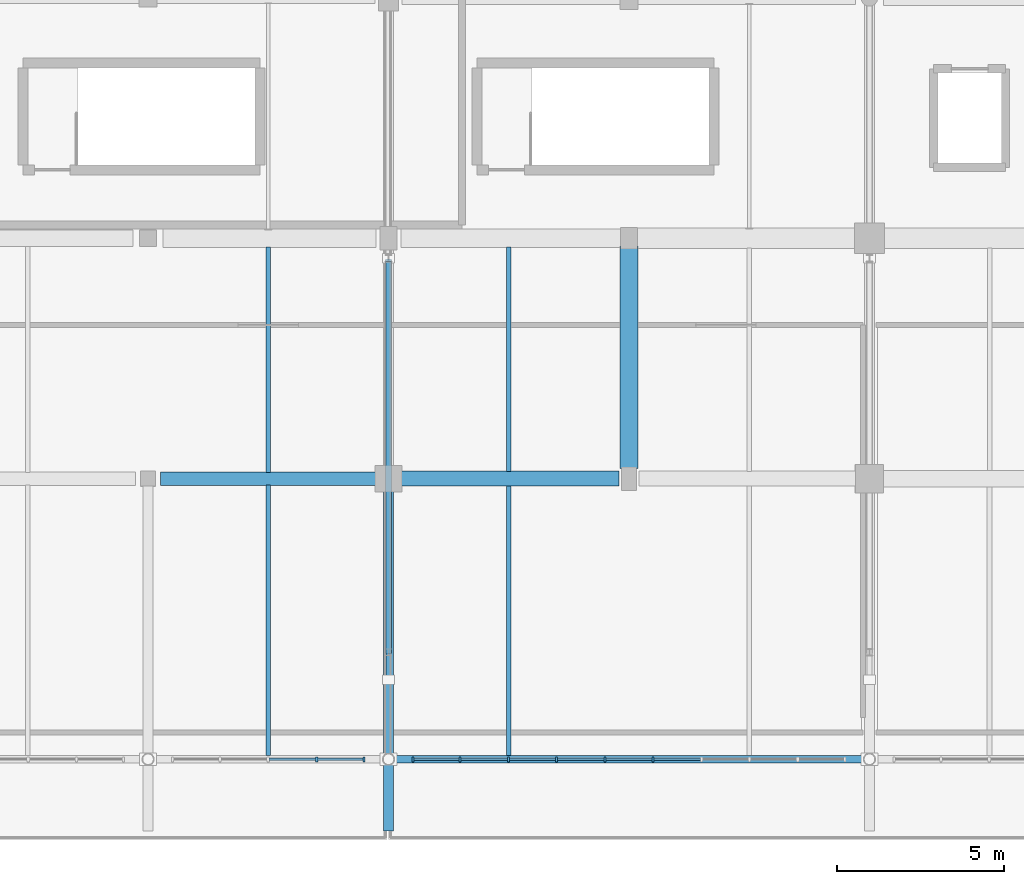
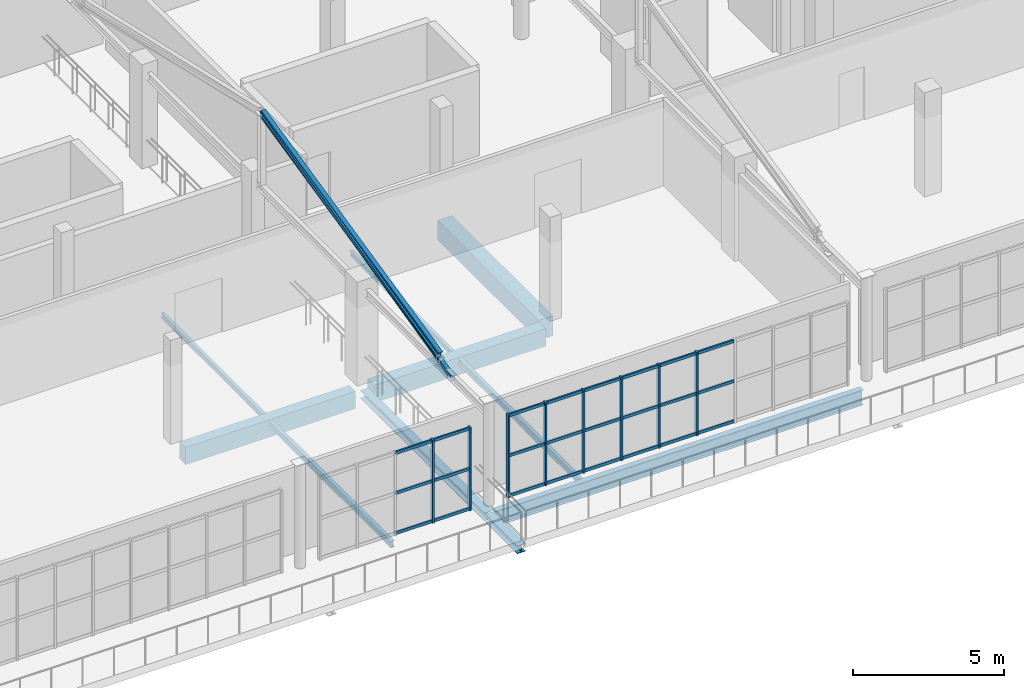
# One storey, part 8 of 41: 33 members, 11 beams, 2 elements without a shape of their own.
"""IFC4 building model written with IfcOpenShell, lengths in metres."""

from ifc_helpers import new_model, si_unit, direction, frame, origin, origin_2d, place, context, subcontext, project, spatial, rectangle, hollow_rectangle, i_section, extrude, material, material_profile, profile_set, type_object, element, aggregate, save


model = new_model("IFC4")

# Units and contexts
model_context = context("Model", 3, precision=1e-05, world=origin(), true_north=direction((0.0, 1.0)))
body_context = subcontext(model_context, "Body", "Model", "MODEL_VIEW")
ifc_project = project(units=[si_unit("LENGTHUNIT", "METRE"), si_unit("AREAUNIT", "SQUARE_METRE"), si_unit("VOLUMEUNIT", "CUBIC_METRE"), si_unit("PLANEANGLEUNIT", "RADIAN"), si_unit("MASSUNIT", "GRAM", prefix="KILO")], contexts=[model_context])

# Site, building, storey
site_placement = place(None, origin())
site = spatial("IfcSite", under=ifc_project, at=site_placement, CompositionType="ELEMENT")
building_placement = place(site_placement, origin())
building = spatial("IfcBuilding", under=site, at=building_placement, Name="Solanera Park Tramway Depot", CompositionType="ELEMENT")
storey_placement = place(building_placement, frame((0.0, 0.0, 13.199951171875)))
storey = spatial("IfcBuildingStorey", under=building, at=storey_placement, Name="L03", CompositionType="ELEMENT", Elevation=13.199951171875)

# Curtain wall, members
ifc_material_1 = material(Name="Bronze-anodised thermally broken aluminium curtain wall", Category="aluminium")
curtain_wall_type = type_object("IfcCurtainWallType", Name="Cantilevered OCC Inclined Glazing Wall", PredefinedType="NOTDEFINED", material=ifc_material_1)
curtain_wall_1_placement = place(storey_placement, origin())
curtain_wall_1 = element("IfcCurtainWall", 1, at=curtain_wall_1_placement, inside=storey, type_object=curtain_wall_type, Name="L03 Cantilevered OCC Inclined Glazing Wall #123", PredefinedType="NOTDEFINED")
ifc_material_2 = material(Name="Bronze-anodised structural aluminium 6063-T6", Category="aluminium")
ifc_material_profile_1 = material_profile(ifc_material_2, rectangle(XDim=0.06494140625, YDim=0.14990234375, at=origin_2d()), Name="Curtain Wall Mullion 65x150")
ifc_profile_set_1 = profile_set([ifc_material_profile_1], Name="Bronze-anodised structural aluminium 6063-T6")
member_type_1 = type_object("IfcMemberType", Name="Curtain Wall Mullion 65x150", PredefinedType="MULLION", material=ifc_profile_set_1)
member_1_placement = place(storey_placement, frame((149.050048828125, 2.39990234375, 0.0), z_axis=(0.0, 0.0, 1.0), x_axis=(1.0, 0.0, 0.0)))
member_1 = element("IfcMember", 2, at=member_1_placement, type_object=member_type_1, Name="CW-L03-123 Mullion 4", PredefinedType="MULLION", context=body_context, shape_type="SweptSolid", body=[
    extrude(rectangle(XDim=0.06494140625, YDim=0.14990234375, at=origin_2d()), origin(), (0.0, 0.0, 1.0), 3.35009765625),
])
member_2_placement = place(storey_placement, frame((150.467529296875, 2.39990234375, 0.0), z_axis=(0.0, 0.0, 1.0), x_axis=(1.0, 0.0, 0.0)))
member_2 = element("IfcMember", 3, at=member_2_placement, type_object=member_type_1, Name="CW-L03-123 Mullion 5", PredefinedType="MULLION", context=body_context, shape_type="SweptSolid", body=[
    extrude(rectangle(XDim=0.06494140625, YDim=0.14990234375, at=origin_2d()), origin(), (0.0, 0.0, 1.0), 3.35009765625),
])

curtain_wall_2_placement = place(storey_placement, origin())
curtain_wall_2 = element("IfcCurtainWall", 4, at=curtain_wall_2_placement, inside=storey, type_object=curtain_wall_type, Name="L03 Cantilevered OCC Inclined Glazing Wall #124", PredefinedType="NOTDEFINED")
member_3_placement = place(storey_placement, frame((151.9326171875, 2.39990234375, 0.0), z_axis=(0.0, 0.0, 1.0), x_axis=(1.0, 0.0, 0.0)))
member_3 = element("IfcMember", 5, at=member_3_placement, type_object=member_type_1, Name="CW-L03-124 Mullion 1", PredefinedType="MULLION", context=body_context, shape_type="SweptSolid", body=[
    extrude(rectangle(XDim=0.06494140625, YDim=0.14990234375, at=origin_2d()), origin(), (0.0, 0.0, 1.0), 3.35009765625),
])
member_4_placement = place(storey_placement, frame((153.344482421875, 2.39990234375, 0.0), z_axis=(0.0, 0.0, 1.0), x_axis=(1.0, 0.0, 0.0)))
member_4 = element("IfcMember", 6, at=member_4_placement, type_object=member_type_1, Name="CW-L03-124 Mullion 2", PredefinedType="MULLION", context=body_context, shape_type="SweptSolid", body=[
    extrude(rectangle(XDim=0.06494140625, YDim=0.14990234375, at=origin_2d()), origin(), (0.0, 0.0, 1.0), 3.35009765625),
])
member_5_placement = place(storey_placement, frame((154.788818359375, 2.39990234375, 0.0), z_axis=(0.0, 0.0, 1.0), x_axis=(1.0, 0.0, 0.0)))
member_5 = element("IfcMember", 7, at=member_5_placement, type_object=member_type_1, Name="CW-L03-124 Mullion 3", PredefinedType="MULLION", context=body_context, shape_type="SweptSolid", body=[
    extrude(rectangle(XDim=0.06494140625, YDim=0.14990234375, at=origin_2d()), origin(), (0.0, 0.0, 1.0), 3.35009765625),
])
member_6_placement = place(storey_placement, frame((156.2333984375, 2.39990234375, 0.0), z_axis=(0.0, 0.0, 1.0), x_axis=(1.0, 0.0, 0.0)))
member_6 = element("IfcMember", 8, at=member_6_placement, type_object=member_type_1, Name="CW-L03-124 Mullion 4", PredefinedType="MULLION", context=body_context, shape_type="SweptSolid", body=[
    extrude(rectangle(XDim=0.06494140625, YDim=0.14990234375, at=origin_2d()), origin(), (0.0, 0.0, 1.0), 3.35009765625),
])
member_7_placement = place(storey_placement, frame((157.677734375, 2.39990234375, 0.0), z_axis=(0.0, 0.0, 1.0), x_axis=(1.0, 0.0, 0.0)))
member_7 = element("IfcMember", 9, at=member_7_placement, type_object=member_type_1, Name="CW-L03-124 Mullion 5", PredefinedType="MULLION", context=body_context, shape_type="SweptSolid", body=[
    extrude(rectangle(XDim=0.06494140625, YDim=0.14990234375, at=origin_2d()), origin(), (0.0, 0.0, 1.0), 3.35009765625),
])
member_8_placement = place(storey_placement, frame((159.122314453125, 2.39990234375, 0.0), z_axis=(0.0, 0.0, 1.0), x_axis=(1.0, 0.0, 0.0)))
member_8 = element("IfcMember", 10, at=member_8_placement, type_object=member_type_1, Name="CW-L03-124 Mullion 6", PredefinedType="MULLION", context=body_context, shape_type="SweptSolid", body=[
    extrude(rectangle(XDim=0.06494140625, YDim=0.14990234375, at=origin_2d()), origin(), (0.0, 0.0, 1.0), 3.35009765625),
])

# Member
ifc_material_3 = material(Name="Bronze-anodised structural aluminium 6063-T6", Category="aluminium")
ifc_material_profile_2 = material_profile(ifc_material_3, rectangle(XDim=0.06494140625, YDim=0.1201171875, at=origin_2d()), Name="Curtain Wall Transom 65x120")
ifc_profile_set_2 = profile_set([ifc_material_profile_2], Name="Bronze-anodised structural aluminium 6063-T6")
member_type_2 = type_object("IfcMemberType", Name="Curtain Wall Transom 65x120", PredefinedType="USERDEFINED", material=ifc_profile_set_2)
member_9_placement = place(storey_placement, frame((147.6279296875, 2.39990234375, 0.06005859375), z_axis=(1.0, 0.0, 0.0), x_axis=(0.0, 1.0, 0.0)))
member_9 = element("IfcMember", 11, at=member_9_placement, type_object=member_type_2, Name="CW-L03-123 Transom R1.C3", ObjectType="TRANSOM", PredefinedType="USERDEFINED", context=body_context, shape_type="SweptSolid", body=[
    extrude(rectangle(XDim=0.06494140625, YDim=0.1201171875, at=origin_2d()), origin(), (0.0, 0.0, 1.0), 1.39404296875),
])

member_10_placement = place(storey_placement, frame((149.077880859375, 2.39990234375, 0.06005859375), z_axis=(1.0, 0.0, 0.0), x_axis=(0.0, 1.0, 0.0)))
member_10 = element("IfcMember", 12, at=member_10_placement, type_object=member_type_2, Name="CW-L03-123 Transom R1.C4", ObjectType="TRANSOM", PredefinedType="USERDEFINED", context=body_context, shape_type="SweptSolid", body=[
    extrude(rectangle(XDim=0.06494140625, YDim=0.1201171875, at=origin_2d()), origin(), (0.0, 0.0, 1.0), 1.361572265625),
])

member_11_placement = place(storey_placement, frame((147.6279296875, 2.39990234375, 1.675048828125), z_axis=(1.0, 0.0, 0.0), x_axis=(0.0, 1.0, 0.0)))
member_11 = element("IfcMember", 13, at=member_11_placement, type_object=member_type_2, Name="CW-L03-123 Transom R2.C3", ObjectType="TRANSOM", PredefinedType="USERDEFINED", context=body_context, shape_type="SweptSolid", body=[
    extrude(rectangle(XDim=0.06494140625, YDim=0.1201171875, at=origin_2d()), origin(), (0.0, 0.0, 1.0), 1.39404296875),
])

member_12_placement = place(storey_placement, frame((149.077880859375, 2.39990234375, 1.675048828125), z_axis=(1.0, 0.0, 0.0), x_axis=(0.0, 1.0, 0.0)))
member_12 = element("IfcMember", 14, at=member_12_placement, type_object=member_type_2, Name="CW-L03-123 Transom R2.C4", ObjectType="TRANSOM", PredefinedType="USERDEFINED", context=body_context, shape_type="SweptSolid", body=[
    extrude(rectangle(XDim=0.06494140625, YDim=0.1201171875, at=origin_2d()), origin(), (0.0, 0.0, 1.0), 1.361572265625),
])

member_13_placement = place(storey_placement, frame((147.6279296875, 2.39990234375, 3.2900390625), z_axis=(1.0, 0.0, 0.0), x_axis=(0.0, 1.0, 0.0)))
member_13 = element("IfcMember", 15, at=member_13_placement, type_object=member_type_2, Name="CW-L03-123 Transom R3.C3", ObjectType="TRANSOM", PredefinedType="USERDEFINED", context=body_context, shape_type="SweptSolid", body=[
    extrude(rectangle(XDim=0.06494140625, YDim=0.1201171875, at=origin_2d()), origin(), (0.0, 0.0, 1.0), 1.39404296875),
])

member_14_placement = place(storey_placement, frame((149.077880859375, 2.39990234375, 3.2900390625), z_axis=(1.0, 0.0, 0.0), x_axis=(0.0, 1.0, 0.0)))
member_14 = element("IfcMember", 16, at=member_14_placement, type_object=member_type_2, Name="CW-L03-123 Transom R3.C4", ObjectType="TRANSOM", PredefinedType="USERDEFINED", context=body_context, shape_type="SweptSolid", body=[
    extrude(rectangle(XDim=0.06494140625, YDim=0.1201171875, at=origin_2d()), origin(), (0.0, 0.0, 1.0), 1.361572265625),
])

aggregate(curtain_wall_1, [member_1, member_2, member_9, member_10, member_11, member_12, member_13, member_14])

member_15_placement = place(storey_placement, frame((151.96044921875, 2.39990234375, 0.06005859375), z_axis=(1.0, 0.0, 0.0), x_axis=(0.0, 1.0, 0.0)))
member_15 = element("IfcMember", 17, at=member_15_placement, type_object=member_type_2, Name="CW-L03-124 Transom R1.C1", ObjectType="TRANSOM", PredefinedType="USERDEFINED", context=body_context, shape_type="SweptSolid", body=[
    extrude(rectangle(XDim=0.06494140625, YDim=0.1201171875, at=origin_2d()), origin(), (0.0, 0.0, 1.0), 1.35595703125),
])

member_16_placement = place(storey_placement, frame((153.372314453125, 2.39990234375, 0.06005859375), z_axis=(1.0, 0.0, 0.0), x_axis=(0.0, 1.0, 0.0)))
member_16 = element("IfcMember", 18, at=member_16_placement, type_object=member_type_2, Name="CW-L03-124 Transom R1.C2", ObjectType="TRANSOM", PredefinedType="USERDEFINED", context=body_context, shape_type="SweptSolid", body=[
    extrude(rectangle(XDim=0.06494140625, YDim=0.1201171875, at=origin_2d()), origin(), (0.0, 0.0, 1.0), 1.388671875),
])

member_17_placement = place(storey_placement, frame((154.81689453125, 2.39990234375, 0.06005859375), z_axis=(1.0, 0.0, 0.0), x_axis=(0.0, 1.0, 0.0)))
member_17 = element("IfcMember", 19, at=member_17_placement, type_object=member_type_2, Name="CW-L03-124 Transom R1.C3", ObjectType="TRANSOM", PredefinedType="USERDEFINED", context=body_context, shape_type="SweptSolid", body=[
    extrude(rectangle(XDim=0.06494140625, YDim=0.1201171875, at=origin_2d()), origin(), (0.0, 0.0, 1.0), 1.388427734375),
])

member_18_placement = place(storey_placement, frame((156.26123046875, 2.39990234375, 0.06005859375), z_axis=(1.0, 0.0, 0.0), x_axis=(0.0, 1.0, 0.0)))
member_18 = element("IfcMember", 20, at=member_18_placement, type_object=member_type_2, Name="CW-L03-124 Transom R1.C4", ObjectType="TRANSOM", PredefinedType="USERDEFINED", context=body_context, shape_type="SweptSolid", body=[
    extrude(rectangle(XDim=0.06494140625, YDim=0.1201171875, at=origin_2d()), origin(), (0.0, 0.0, 1.0), 1.388671875),
])

member_19_placement = place(storey_placement, frame((157.705810546875, 2.39990234375, 0.06005859375), z_axis=(1.0, 0.0, 0.0), x_axis=(0.0, 1.0, 0.0)))
member_19 = element("IfcMember", 21, at=member_19_placement, type_object=member_type_2, Name="CW-L03-124 Transom R1.C5", ObjectType="TRANSOM", PredefinedType="USERDEFINED", context=body_context, shape_type="SweptSolid", body=[
    extrude(rectangle(XDim=0.06494140625, YDim=0.1201171875, at=origin_2d()), origin(), (0.0, 0.0, 1.0), 1.388427734375),
])

member_20_placement = place(storey_placement, frame((159.150146484375, 2.39990234375, 0.06005859375), z_axis=(1.0, 0.0, 0.0), x_axis=(0.0, 1.0, 0.0)))
member_20 = element("IfcMember", 22, at=member_20_placement, type_object=member_type_2, Name="CW-L03-124 Transom R1.C6", ObjectType="TRANSOM", PredefinedType="USERDEFINED", context=body_context, shape_type="SweptSolid", body=[
    extrude(rectangle(XDim=0.06494140625, YDim=0.1201171875, at=origin_2d()), origin(), (0.0, 0.0, 1.0), 1.388671875),
])

member_21_placement = place(storey_placement, frame((151.96044921875, 2.39990234375, 1.675048828125), z_axis=(1.0, 0.0, 0.0), x_axis=(0.0, 1.0, 0.0)))
member_21 = element("IfcMember", 23, at=member_21_placement, type_object=member_type_2, Name="CW-L03-124 Transom R2.C1", ObjectType="TRANSOM", PredefinedType="USERDEFINED", context=body_context, shape_type="SweptSolid", body=[
    extrude(rectangle(XDim=0.06494140625, YDim=0.1201171875, at=origin_2d()), origin(), (0.0, 0.0, 1.0), 1.35595703125),
])

member_22_placement = place(storey_placement, frame((153.372314453125, 2.39990234375, 1.675048828125), z_axis=(1.0, 0.0, 0.0), x_axis=(0.0, 1.0, 0.0)))
member_22 = element("IfcMember", 24, at=member_22_placement, type_object=member_type_2, Name="CW-L03-124 Transom R2.C2", ObjectType="TRANSOM", PredefinedType="USERDEFINED", context=body_context, shape_type="SweptSolid", body=[
    extrude(rectangle(XDim=0.06494140625, YDim=0.1201171875, at=origin_2d()), origin(), (0.0, 0.0, 1.0), 1.388671875),
])

member_23_placement = place(storey_placement, frame((154.81689453125, 2.39990234375, 1.675048828125), z_axis=(1.0, 0.0, 0.0), x_axis=(0.0, 1.0, 0.0)))
member_23 = element("IfcMember", 25, at=member_23_placement, type_object=member_type_2, Name="CW-L03-124 Transom R2.C3", ObjectType="TRANSOM", PredefinedType="USERDEFINED", context=body_context, shape_type="SweptSolid", body=[
    extrude(rectangle(XDim=0.06494140625, YDim=0.1201171875, at=origin_2d()), origin(), (0.0, 0.0, 1.0), 1.388427734375),
])

member_24_placement = place(storey_placement, frame((156.26123046875, 2.39990234375, 1.675048828125), z_axis=(1.0, 0.0, 0.0), x_axis=(0.0, 1.0, 0.0)))
member_24 = element("IfcMember", 26, at=member_24_placement, type_object=member_type_2, Name="CW-L03-124 Transom R2.C4", ObjectType="TRANSOM", PredefinedType="USERDEFINED", context=body_context, shape_type="SweptSolid", body=[
    extrude(rectangle(XDim=0.06494140625, YDim=0.1201171875, at=origin_2d()), origin(), (0.0, 0.0, 1.0), 1.388671875),
])

member_25_placement = place(storey_placement, frame((157.705810546875, 2.39990234375, 1.675048828125), z_axis=(1.0, 0.0, 0.0), x_axis=(0.0, 1.0, 0.0)))
member_25 = element("IfcMember", 27, at=member_25_placement, type_object=member_type_2, Name="CW-L03-124 Transom R2.C5", ObjectType="TRANSOM", PredefinedType="USERDEFINED", context=body_context, shape_type="SweptSolid", body=[
    extrude(rectangle(XDim=0.06494140625, YDim=0.1201171875, at=origin_2d()), origin(), (0.0, 0.0, 1.0), 1.388427734375),
])

member_26_placement = place(storey_placement, frame((159.150146484375, 2.39990234375, 1.675048828125), z_axis=(1.0, 0.0, 0.0), x_axis=(0.0, 1.0, 0.0)))
member_26 = element("IfcMember", 28, at=member_26_placement, type_object=member_type_2, Name="CW-L03-124 Transom R2.C6", ObjectType="TRANSOM", PredefinedType="USERDEFINED", context=body_context, shape_type="SweptSolid", body=[
    extrude(rectangle(XDim=0.06494140625, YDim=0.1201171875, at=origin_2d()), origin(), (0.0, 0.0, 1.0), 1.388671875),
])

member_27_placement = place(storey_placement, frame((151.96044921875, 2.39990234375, 3.2900390625), z_axis=(1.0, 0.0, 0.0), x_axis=(0.0, 1.0, 0.0)))
member_27 = element("IfcMember", 29, at=member_27_placement, type_object=member_type_2, Name="CW-L03-124 Transom R3.C1", ObjectType="TRANSOM", PredefinedType="USERDEFINED", context=body_context, shape_type="SweptSolid", body=[
    extrude(rectangle(XDim=0.06494140625, YDim=0.1201171875, at=origin_2d()), origin(), (0.0, 0.0, 1.0), 1.35595703125),
])

member_28_placement = place(storey_placement, frame((153.372314453125, 2.39990234375, 3.2900390625), z_axis=(1.0, 0.0, 0.0), x_axis=(0.0, 1.0, 0.0)))
member_28 = element("IfcMember", 30, at=member_28_placement, type_object=member_type_2, Name="CW-L03-124 Transom R3.C2", ObjectType="TRANSOM", PredefinedType="USERDEFINED", context=body_context, shape_type="SweptSolid", body=[
    extrude(rectangle(XDim=0.06494140625, YDim=0.1201171875, at=origin_2d()), origin(), (0.0, 0.0, 1.0), 1.388671875),
])

member_29_placement = place(storey_placement, frame((154.81689453125, 2.39990234375, 3.2900390625), z_axis=(1.0, 0.0, 0.0), x_axis=(0.0, 1.0, 0.0)))
member_29 = element("IfcMember", 31, at=member_29_placement, type_object=member_type_2, Name="CW-L03-124 Transom R3.C3", ObjectType="TRANSOM", PredefinedType="USERDEFINED", context=body_context, shape_type="SweptSolid", body=[
    extrude(rectangle(XDim=0.06494140625, YDim=0.1201171875, at=origin_2d()), origin(), (0.0, 0.0, 1.0), 1.388427734375),
])

member_30_placement = place(storey_placement, frame((156.26123046875, 2.39990234375, 3.2900390625), z_axis=(1.0, 0.0, 0.0), x_axis=(0.0, 1.0, 0.0)))
member_30 = element("IfcMember", 32, at=member_30_placement, type_object=member_type_2, Name="CW-L03-124 Transom R3.C4", ObjectType="TRANSOM", PredefinedType="USERDEFINED", context=body_context, shape_type="SweptSolid", body=[
    extrude(rectangle(XDim=0.06494140625, YDim=0.1201171875, at=origin_2d()), origin(), (0.0, 0.0, 1.0), 1.388671875),
])

member_31_placement = place(storey_placement, frame((157.705810546875, 2.39990234375, 3.2900390625), z_axis=(1.0, 0.0, 0.0), x_axis=(0.0, 1.0, 0.0)))
member_31 = element("IfcMember", 33, at=member_31_placement, type_object=member_type_2, Name="CW-L03-124 Transom R3.C5", ObjectType="TRANSOM", PredefinedType="USERDEFINED", context=body_context, shape_type="SweptSolid", body=[
    extrude(rectangle(XDim=0.06494140625, YDim=0.1201171875, at=origin_2d()), origin(), (0.0, 0.0, 1.0), 1.388427734375),
])

member_32_placement = place(storey_placement, frame((159.150146484375, 2.39990234375, 3.2900390625), z_axis=(1.0, 0.0, 0.0), x_axis=(0.0, 1.0, 0.0)))
member_32 = element("IfcMember", 34, at=member_32_placement, type_object=member_type_2, Name="CW-L03-124 Transom R3.C6", ObjectType="TRANSOM", PredefinedType="USERDEFINED", context=body_context, shape_type="SweptSolid", body=[
    extrude(rectangle(XDim=0.06494140625, YDim=0.1201171875, at=origin_2d()), origin(), (0.0, 0.0, 1.0), 1.388671875),
])

aggregate(curtain_wall_2, [member_3, member_4, member_5, member_6, member_7, member_8, member_15, member_16, member_17, member_18, member_19, member_20, member_21, member_22, member_23, member_24, member_25, member_26, member_27, member_28, member_29, member_30, member_31, member_32])

# Beams
ifc_material_4 = material(Name="Concrete N40 (C40/50)", Category="concrete")
ifc_material_profile_3 = material_profile(ifc_material_4, rectangle(XDim=0.39990234375, YDim=0.699951171875, at=origin_2d()), Name="RCB 400x700")
ifc_profile_set_3 = profile_set([ifc_material_profile_3], Name="Concrete N40 (C40/50)")
beam_type_1 = type_object("IfcBeamType", Name="RC Floor Beam RCB 400x700", PredefinedType="BEAM", material=ifc_profile_set_3)
beam_1_placement = place(storey_placement, frame((144.375, 10.800048828125, -0.678955078125), z_axis=(1.0, 0.0, 0.0), x_axis=(0.0, 1.0, 0.0)))
element("IfcBeam", 35, at=beam_1_placement, inside=storey, type_object=beam_type_1, Name="L03 Primary X-Girder RCB 400x700 #0207", PredefinedType="BEAM", context=body_context, shape_type="SweptSolid", body=[
    extrude(rectangle(XDim=0.39990234375, YDim=0.699951171875, at=origin_2d()), origin(), (0.0, 0.0, 1.0), 6.47509765625),
])
ifc_material_5 = material(Name="Concrete N40 (C40/50)", Category="concrete")
ifc_material_profile_4 = material_profile(ifc_material_5, rectangle(XDim=0.449951171875, YDim=0.699951171875, at=origin_2d()), Name="RCB 450x700")
ifc_profile_set_4 = profile_set([ifc_material_profile_4], Name="Concrete N40 (C40/50)")
beam_type_2 = type_object("IfcBeamType", Name="RC Floor Beam RCB 450x700", PredefinedType="BEAM", material=ifc_profile_set_4)
beam_2_placement = place(storey_placement, frame((151.550048828125, 10.800048828125, -0.678955078125), z_axis=(1.0, 0.0, 0.0), x_axis=(0.0, 1.0, 0.0)))
element("IfcBeam", 36, at=beam_2_placement, inside=storey, type_object=beam_type_2, Name="L03 Primary X-Girder RCB 450x700 #0208", PredefinedType="BEAM", context=body_context, shape_type="SweptSolid", body=[
    extrude(rectangle(XDim=0.449951171875, YDim=0.699951171875, at=origin_2d()), origin(), (0.0, 0.0, 1.0), 6.550048828125),
])
ifc_material_6 = material(Name="Concrete N40 (C40/50)", Category="concrete")
ifc_material_profile_5 = material_profile(ifc_material_6, rectangle(XDim=0.550048828125, YDim=0.800048828125, at=origin_2d()), Name="RCB 550x800")
ifc_profile_set_5 = profile_set([ifc_material_profile_5], Name="Concrete N40 (C40/50)")
beam_type_3 = type_object("IfcBeamType", Name="RC Floor Beam RCB 550x800", PredefinedType="BEAM", material=ifc_profile_set_5)
beam_3_placement = place(storey_placement, frame((158.39990234375, 11.10009765625, -0.72900390625), z_axis=(0.0, 1.0, 0.0), x_axis=(-1.0, 0.0, 0.0)))
element("IfcBeam", 37, at=beam_3_placement, inside=storey, type_object=beam_type_3, Name="L03 Primary Y-Girder RCB 550x800 #0242", PredefinedType="BEAM", context=body_context, shape_type="SweptSolid", body=[
    extrude(rectangle(XDim=0.550048828125, YDim=0.800048828125, at=origin_2d()), origin(), (0.0, 0.0, 1.0), 6.6748046875),
])
ifc_material_7 = material(Name="Steel AS/NZS 3679.1 Grade 350", Category="steel")
ifc_material_profile_6 = material_profile(ifc_material_7, i_section(OverallWidth=0.166015625, OverallDepth=0.30712890625, WebThickness=0.006591796875, FlangeThickness=0.01171875, at=origin_2d()), Name="310UB46.2")
ifc_profile_set_6 = profile_set([ifc_material_profile_6], Name="Steel AS/NZS 3679.1 Grade 350")
beam_type_4 = type_object("IfcBeamType", Name="Steel Beam 310UB46.2", PredefinedType="BEAM", material=ifc_profile_set_6)
beam_4_placement = place(storey_placement, frame((151.199951171875, 5.60009765625, 4.013671875), z_axis=(0.0, 0.975101572759, 0.221758704009), x_axis=(-1.0, 0.0, 0.0)))
element("IfcBeam", 38, at=beam_4_placement, inside=storey, type_object=beam_type_4, Name="L03 Hip ROOF TRUSS Rafter 310UB46.2 #1069", PredefinedType="BEAM", context=body_context, shape_type="SweptSolid", body=[
    extrude(i_section(OverallWidth=0.166015625, OverallDepth=0.30712890625, WebThickness=0.006591796875, FlangeThickness=0.01171875, at=origin_2d()), origin(), (0.0, 0.0, 1.0), 12.039794921875),
])
ifc_material_8 = material(Name="Steel AS/NZS 3679.1 Grade 350", Category="steel")
ifc_material_profile_7 = material_profile(ifc_material_8, i_section(OverallWidth=0.310546875, OverallDepth=0.3271484375, WebThickness=0.015625, FlangeThickness=0.02490234375, at=origin_2d()), Name="310UC158")
ifc_profile_set_7 = profile_set([ifc_material_profile_7], Name="Steel AS/NZS 3679.1 Grade 350")
beam_type_5 = type_object("IfcBeamType", Name="Steel Beam 310UC158", PredefinedType="BEAM", material=ifc_profile_set_7)
beam_5_placement = place(storey_placement, frame((151.199951171875, 0.25, -0.52001953125), z_axis=(0.0, 1.0, 0.0), x_axis=(-1.0, 0.0, 0.0)))
element("IfcBeam", 39, at=beam_5_placement, inside=storey, type_object=beam_type_5, Name="L03 Transfer Truss Nose Cantilever 310UC158 #0326", PredefinedType="BEAM", context=body_context, shape_type="SweptSolid", body=[
    extrude(i_section(OverallWidth=0.310546875, OverallDepth=0.3271484375, WebThickness=0.015625, FlangeThickness=0.02490234375, at=origin_2d()), origin(), (0.0, 0.0, 1.0), 2.110107421875),
])
beam_6_placement = place(storey_placement, frame((151.199951171875, 2.43994140625, -0.52001953125), z_axis=(0.0, 1.0, 0.0), x_axis=(-1.0, 0.0, 0.0)))
element("IfcBeam", 40, at=beam_6_placement, inside=storey, type_object=beam_type_5, Name="L03 Transfer Truss Overhang Chord 310UC158 #0327", PredefinedType="BEAM", context=body_context, shape_type="SweptSolid", body=[
    extrude(i_section(OverallWidth=0.310546875, OverallDepth=0.3271484375, WebThickness=0.015625, FlangeThickness=0.02490234375, at=origin_2d()), origin(), (0.0, 0.0, 1.0), 8.16015625),
])
ifc_material_9 = material(Name="Steel AS/NZS 3679.1 Grade 350", Category="steel")
ifc_material_profile_8 = material_profile(ifc_material_9, i_section(OverallWidth=0.22900390625, OverallDepth=0.611572265625, WebThickness=0.011962890625, FlangeThickness=0.01953125, at=origin_2d()), Name="610UB125")
ifc_profile_set_8 = profile_set([ifc_material_profile_8], Name="Steel AS/NZS 3679.1 Grade 350")
beam_type_6 = type_object("IfcBeamType", Name="Steel Beam 610UB125", PredefinedType="BEAM", material=ifc_profile_set_8)
beam_7_placement = place(storey_placement, frame((151.3798828125, 2.39990234375, -0.635986328125), z_axis=(1.0, 0.0, 0.0), x_axis=(0.0, 1.0, 0.0)))
element("IfcBeam", 41, at=beam_7_placement, inside=storey, type_object=beam_type_6, Name="L03 Head-Block Upper Tie Girder 610UB125 #0362", PredefinedType="BEAM", context=body_context, shape_type="SweptSolid", body=[
    extrude(i_section(OverallWidth=0.22900390625, OverallDepth=0.611572265625, WebThickness=0.011962890625, FlangeThickness=0.01953125, at=origin_2d()), origin(), (0.0, 0.0, 1.0), 14.0400390625),
])
ifc_material_10 = material(Name="Steel AS/NZS 3679.1 Grade 350", Category="steel")
ifc_material_profile_9 = material_profile(ifc_material_10, i_section(OverallWidth=0.13330078125, OverallDepth=0.203125, WebThickness=0.005859375, FlangeThickness=0.0078125, at=origin_2d()), Name="200UB25.4")
ifc_profile_set_9 = profile_set([ifc_material_profile_9], Name="Steel AS/NZS 3679.1 Grade 350")
beam_type_7 = type_object("IfcBeamType", Name="Steel Joist Purlin 200UB25.4", PredefinedType="JOIST", material=ifc_profile_set_9)
beam_8_placement = place(storey_placement, frame((147.60009765625, 10.991943359375, -0.4306640625), z_axis=(0.0, 1.0, 0.0), x_axis=(-1.0, 0.0, 0.0)))
element("IfcBeam", 42, at=beam_8_placement, inside=storey, type_object=beam_type_7, Name="L03 Secondary Floor Joist 200UB25.4 #0266", PredefinedType="JOIST", context=body_context, shape_type="SweptSolid", body=[
    extrude(i_section(OverallWidth=0.13330078125, OverallDepth=0.203125, WebThickness=0.005859375, FlangeThickness=0.0078125, at=origin_2d()), origin(), (0.0, 0.0, 1.0), 6.740966796875),
])
beam_9_placement = place(storey_placement, frame((154.800048828125, 11.01708984375, -0.4306640625), z_axis=(0.0, 1.0, 0.0), x_axis=(-1.0, 0.0, 0.0)))
element("IfcBeam", 43, at=beam_9_placement, inside=storey, type_object=beam_type_7, Name="L03 Secondary Floor Joist 200UB25.4 #0267", PredefinedType="JOIST", context=body_context, shape_type="SweptSolid", body=[
    extrude(i_section(OverallWidth=0.13330078125, OverallDepth=0.203125, WebThickness=0.005859375, FlangeThickness=0.0078125, at=origin_2d()), origin(), (0.0, 0.0, 1.0), 6.7158203125),
])
ifc_material_11 = material(Name="Steel AS/NZS 3679.1 Grade 350", Category="steel")
ifc_material_profile_10 = material_profile(ifc_material_11, i_section(OverallWidth=0.14599609375, OverallDepth=0.251708984375, WebThickness=0.006103515625, FlangeThickness=0.008544921875, at=origin_2d()), Name="250UB31.4")
ifc_profile_set_10 = profile_set([ifc_material_profile_10], Name="Steel AS/NZS 3679.1 Grade 350")
beam_type_8 = type_object("IfcBeamType", Name="Steel Joist Purlin 250UB31.4", PredefinedType="JOIST", material=ifc_profile_set_10)
beam_10_placement = place(storey_placement, frame((147.60009765625, 2.506591796875, -0.454833984375), z_axis=(0.0, 1.0, 0.0), x_axis=(-1.0, 0.0, 0.0)))
element("IfcBeam", 44, at=beam_10_placement, inside=storey, type_object=beam_type_8, Name="L03 Secondary Floor Joist 250UB31.4 #0255", PredefinedType="JOIST", context=body_context, shape_type="SweptSolid", body=[
    extrude(i_section(OverallWidth=0.14599609375, OverallDepth=0.251708984375, WebThickness=0.006103515625, FlangeThickness=0.008544921875, at=origin_2d()), origin(), (0.0, 0.0, 1.0), 8.101318359375),
])
beam_11_placement = place(storey_placement, frame((154.800048828125, 2.506591796875, -0.454833984375), z_axis=(0.0, 1.0, 0.0), x_axis=(-1.0, 0.0, 0.0)))
element("IfcBeam", 45, at=beam_11_placement, inside=storey, type_object=beam_type_8, Name="L03 Secondary Floor Joist 250UB31.4 #0256", PredefinedType="JOIST", context=body_context, shape_type="SweptSolid", body=[
    extrude(i_section(OverallWidth=0.14599609375, OverallDepth=0.251708984375, WebThickness=0.006103515625, FlangeThickness=0.008544921875, at=origin_2d()), origin(), (0.0, 0.0, 1.0), 8.076416015625),
])

# Member
ifc_material_12 = material(Name="Steel AS/NZS 1163 Grade C350L0", Category="steel")
ifc_material_profile_11 = material_profile(ifc_material_12, hollow_rectangle(XDim=0.14990234375, YDim=0.14990234375, WallThickness=0.006103515625, at=origin_2d()), Name="150x150x6.0 SHS")
ifc_profile_set_11 = profile_set([ifc_material_profile_11], Name="Steel AS/NZS 1163 Grade C350L0")
member_type_3 = type_object("IfcMemberType", Name="Truss and Frame Brace 150x150x6.0 SHS", PredefinedType="BRACE", material=ifc_profile_set_11)
member_33_placement = place(storey_placement, frame((151.199951171875, 4.780029296875, 3.646484375), z_axis=(0.0, 0.972241309091, 0.233980419901), x_axis=(-1.0, 0.0, 0.0)))
element("IfcMember", 46, at=member_33_placement, inside=storey, type_object=member_type_3, Name="Hip ROOF TRUSS Web #0453", PredefinedType="BRACE", context=body_context, shape_type="SweptSolid", body=[
    extrude(hollow_rectangle(XDim=0.14990234375, YDim=0.14990234375, WallThickness=0.006103515625, at=origin_2d()), origin(), (0.0, 0.0, 1.0), 12.980224609375),
])

save(model, "model.ifc")
